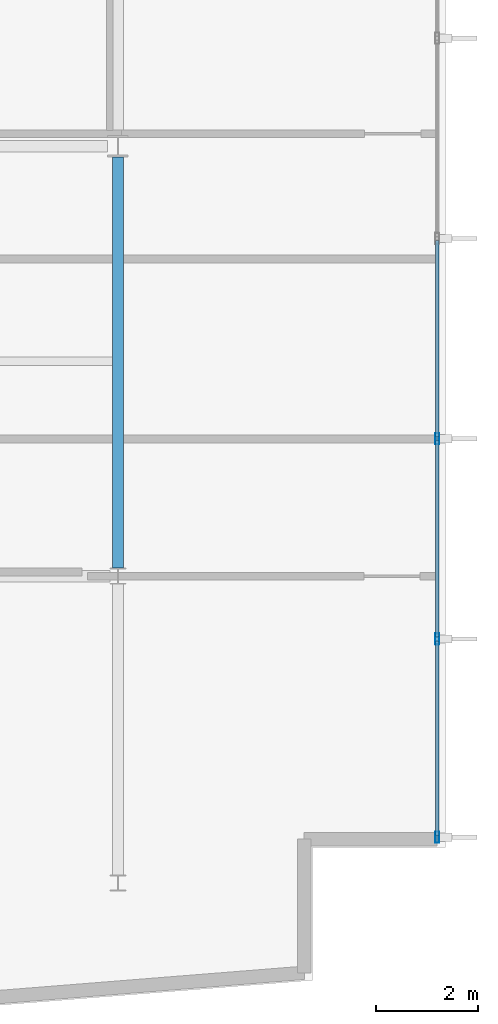
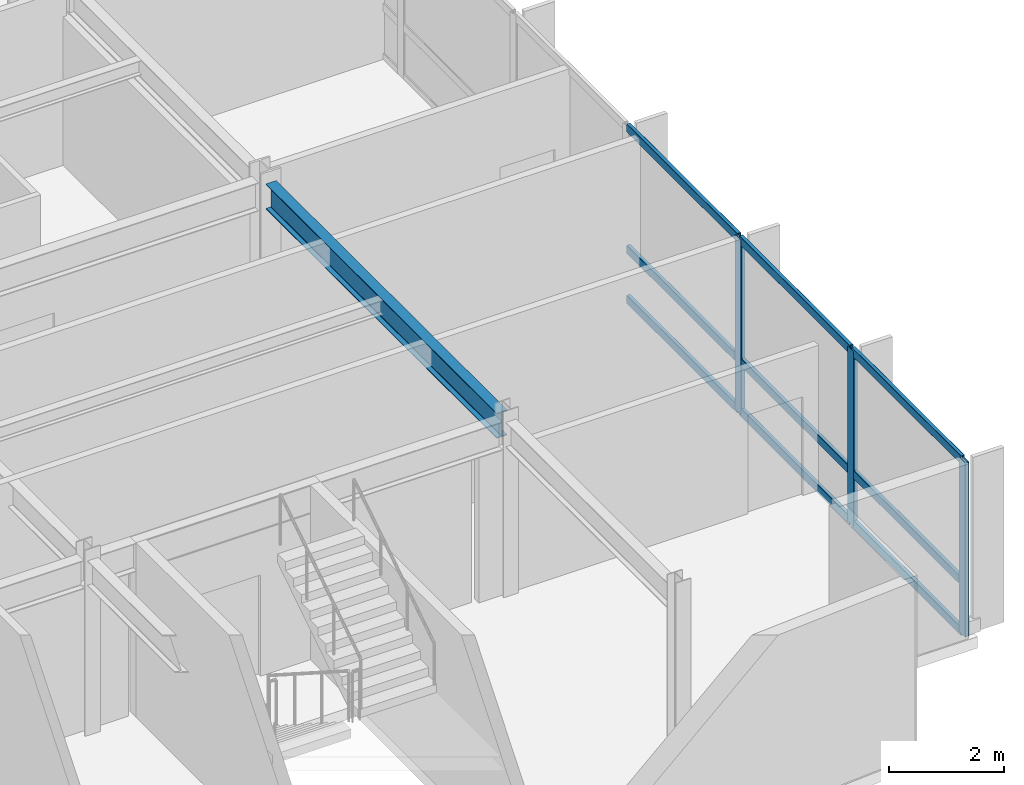
# One storey, part 5 of 17: 12 members, 1 beam, 1 element without a shape of its own.
"""IFC4 building model written with IfcOpenShell, lengths in metres."""

from ifc_helpers import new_model, si_unit, direction, frame, origin, origin_2d, place, context, subcontext, project, spatial, hollow_rectangle, i_section, extrude, material, layer, layer_set, material_profile, profile_set, type_object, element, aggregate, save


model = new_model("IFC4")

# Units and contexts
model_context = context("Model", 3, precision=1e-05, world=origin(), true_north=direction((0.0, 1.0)))
body_context = subcontext(model_context, "Body", "Model", "MODEL_VIEW")
ifc_project = project(units=[si_unit("LENGTHUNIT", "METRE"), si_unit("AREAUNIT", "SQUARE_METRE"), si_unit("VOLUMEUNIT", "CUBIC_METRE"), si_unit("PLANEANGLEUNIT", "RADIAN"), si_unit("MASSUNIT", "GRAM", prefix="KILO")], contexts=[model_context])

# Site, building, storey
site_placement = place(None, origin())
site = spatial("IfcSite", under=ifc_project, at=site_placement, CompositionType="ELEMENT")
building_placement = place(site_placement, origin())
building = spatial("IfcBuilding", under=site, at=building_placement, Name="Varnakote Quay Hospital", CompositionType="ELEMENT")
storey_placement = place(building_placement, frame((0.0, 0.0, 146.800048828125)))
storey = spatial("IfcBuildingStorey", under=building, at=storey_placement, Name="L36", CompositionType="ELEMENT", Elevation=146.800048828125)

# Beam
ifc_material_1 = material(Name="Structural steel AS/NZS 3679.1 Grade 350 L0 (fy 340 MPa)", Category="steel")
ifc_material_profile_1 = material_profile(ifc_material_1, i_section(OverallWidth=0.208984375, OverallDepth=0.532958984375, WebThickness=0.01025390625, FlangeThickness=0.015625, FilletRadius=0.013916015625, at=origin_2d()), Name="530UB92.4")
ifc_profile_set_1 = profile_set([ifc_material_profile_1], Name="Structural steel AS/NZS 3679.1 Grade 350 L0 (fy 340 MPa)")
beam_type = type_object("IfcBeamType", Name="BM-STL-530UB92-4", PredefinedType="BEAM", material=ifc_profile_set_1)
beam_placement = place(storey_placement, frame((50.39990234375, 12.157470703125, 3.443359375), z_axis=(0.0, 1.0, 0.0), x_axis=(-1.0, 0.0, 0.0)))
element("IfcBeam", 1, at=beam_placement, inside=storey, type_object=beam_type, Name="L36 Primary Tie Beam", PredefinedType="BEAM", context=body_context, shape_type="SweptSolid", body=[
    extrude(i_section(OverallWidth=0.208984375, OverallDepth=0.532958984375, WebThickness=0.01025390625, FlangeThickness=0.015625, FilletRadius=0.013916015625, at=origin_2d()), origin(), (0.0, 0.0, 1.0), 8.032470703125),
])

# Curtain wall, members
ifc_material_2 = material(Name="Anodised aluminium 6063-T6 Bronze", Category="aluminium")
ifc_layer = layer(ifc_material_2, 0.205078125)
ifc_layer_set = layer_set([ifc_layer], Name="Anodised aluminium 6063-T6 Bronze")
curtain_wall_type = type_object("IfcCurtainWallType", Name="CW-SYS-3", PredefinedType="NOTDEFINED", material=ifc_layer_set)
curtain_wall_placement = place(storey_placement, origin())
curtain_wall = element("IfcCurtainWall", 2, at=curtain_wall_placement, inside=storey, type_object=curtain_wall_type, Name="L36 Unitised Bronze Curtain Wall 1", PredefinedType="NOTDEFINED")
ifc_material_3 = material(Name="Anodised aluminium 6063-T6 Bronze", Category="aluminium")
ifc_material_profile_2 = material_profile(ifc_material_3, hollow_rectangle(XDim=0.074951171875, YDim=0.219970703125, WallThickness=0.00439453125, InnerFilletRadius=0.00439453125, OuterFilletRadius=0.009033203125, at=origin_2d()), Name="CW-MULL-220x75")
ifc_profile_set_2 = profile_set([ifc_material_profile_2], Name="Anodised aluminium 6063-T6 Bronze")
member_type_1 = type_object("IfcMemberType", Name="CW-MULL-220x75", PredefinedType="MULLION", material=ifc_profile_set_2)
member_1_placement = place(storey_placement, frame((56.639892578125, 6.8974609375, 0.0), z_axis=(0.0, 0.0, 1.0), x_axis=(-1.0, 0.0, 0.0)))
member_1 = element("IfcMember", 3, at=member_1_placement, type_object=member_type_1, Name="-3-L36-1 mullion 1", PredefinedType="MULLION", context=body_context, shape_type="SweptSolid", body=[
    extrude(hollow_rectangle(XDim=0.074951171875, YDim=0.219970703125, WallThickness=0.00439453125, InnerFilletRadius=0.00439453125, OuterFilletRadius=0.009033203125, at=origin_2d()), origin(), (0.0, 0.0, 1.0), 3.7099609375),
])
member_2_placement = place(storey_placement, frame((56.639892578125, 10.7734375, 0.0), z_axis=(0.0, 0.0, 1.0), x_axis=(-1.0, 0.0, 0.0)))
member_2 = element("IfcMember", 4, at=member_2_placement, type_object=member_type_1, Name="-3-L36-1 mullion 2", PredefinedType="MULLION", context=body_context, shape_type="SweptSolid", body=[
    extrude(hollow_rectangle(XDim=0.074951171875, YDim=0.219970703125, WallThickness=0.00439453125, InnerFilletRadius=0.00439453125, OuterFilletRadius=0.009033203125, at=origin_2d()), origin(), (0.0, 0.0, 1.0), 3.7099609375),
])
member_3_placement = place(storey_placement, frame((56.639892578125, 14.686767578125, 0.0), z_axis=(0.0, 0.0, 1.0), x_axis=(-1.0, 0.0, 0.0)))
member_3 = element("IfcMember", 5, at=member_3_placement, type_object=member_type_1, Name="-3-L36-1 mullion 3", PredefinedType="MULLION", context=body_context, shape_type="SweptSolid", body=[
    extrude(hollow_rectangle(XDim=0.074951171875, YDim=0.219970703125, WallThickness=0.00439453125, InnerFilletRadius=0.00439453125, OuterFilletRadius=0.009033203125, at=origin_2d()), origin(), (0.0, 0.0, 1.0), 3.7099609375),
])
ifc_material_4 = material(Name="Anodised aluminium 6063-T6 Bronze", Category="aluminium")
ifc_material_profile_3 = material_profile(ifc_material_4, hollow_rectangle(XDim=0.074951171875, YDim=0.179931640625, WallThickness=0.004150390625, InnerFilletRadius=0.004150390625, OuterFilletRadius=0.00830078125, at=origin_2d()), Name="CW-TRAN-180x75")
ifc_profile_set_3 = profile_set([ifc_material_profile_3], Name="Anodised aluminium 6063-T6 Bronze")
member_type_2 = type_object("IfcMemberType", Name="CW-TRAN-180x75", PredefinedType="USERDEFINED", material=ifc_profile_set_3)
member_4_placement = place(storey_placement, frame((56.639892578125, 6.93505859375, 0.037353515625), z_axis=(0.0, 1.0, 0.0), x_axis=(-1.0, 0.0, 0.0)))
member_4 = element("IfcMember", 6, at=member_4_placement, type_object=member_type_2, Name="-3-L36-1 transom 1.1", ObjectType="TRANSOM", PredefinedType="USERDEFINED", context=body_context, shape_type="SweptSolid", body=[
    extrude(hollow_rectangle(XDim=0.074951171875, YDim=0.179931640625, WallThickness=0.004150390625, InnerFilletRadius=0.004150390625, OuterFilletRadius=0.00830078125, at=origin_2d()), origin(), (0.0, 0.0, 1.0), 3.80078125),
])
member_5_placement = place(storey_placement, frame((56.639892578125, 6.93505859375, 1.099853515625), z_axis=(0.0, 1.0, 0.0), x_axis=(-1.0, 0.0, 0.0)))
member_5 = element("IfcMember", 7, at=member_5_placement, type_object=member_type_2, Name="-3-L36-1 transom 1.2", ObjectType="TRANSOM", PredefinedType="USERDEFINED", context=body_context, shape_type="SweptSolid", body=[
    extrude(hollow_rectangle(XDim=0.074951171875, YDim=0.179931640625, WallThickness=0.004150390625, InnerFilletRadius=0.004150390625, OuterFilletRadius=0.00830078125, at=origin_2d()), origin(), (0.0, 0.0, 1.0), 3.80078125),
])
member_6_placement = place(storey_placement, frame((56.639892578125, 6.93505859375, 3.67236328125), z_axis=(0.0, 1.0, 0.0), x_axis=(-1.0, 0.0, 0.0)))
member_6 = element("IfcMember", 8, at=member_6_placement, type_object=member_type_2, Name="-3-L36-1 transom 1.3", ObjectType="TRANSOM", PredefinedType="USERDEFINED", context=body_context, shape_type="SweptSolid", body=[
    extrude(hollow_rectangle(XDim=0.074951171875, YDim=0.179931640625, WallThickness=0.004150390625, InnerFilletRadius=0.004150390625, OuterFilletRadius=0.00830078125, at=origin_2d()), origin(), (0.0, 0.0, 1.0), 3.80078125),
])
member_7_placement = place(storey_placement, frame((56.639892578125, 10.810791015625, 0.037353515625), z_axis=(0.0, 1.0, 0.0), x_axis=(-1.0, 0.0, 0.0)))
member_7 = element("IfcMember", 9, at=member_7_placement, type_object=member_type_2, Name="-3-L36-1 transom 2.1", ObjectType="TRANSOM", PredefinedType="USERDEFINED", context=body_context, shape_type="SweptSolid", body=[
    extrude(hollow_rectangle(XDim=0.074951171875, YDim=0.179931640625, WallThickness=0.004150390625, InnerFilletRadius=0.004150390625, OuterFilletRadius=0.00830078125, at=origin_2d()), origin(), (0.0, 0.0, 1.0), 3.83837890625),
])
member_8_placement = place(storey_placement, frame((56.639892578125, 10.810791015625, 1.099853515625), z_axis=(0.0, 1.0, 0.0), x_axis=(-1.0, 0.0, 0.0)))
member_8 = element("IfcMember", 10, at=member_8_placement, type_object=member_type_2, Name="-3-L36-1 transom 2.2", ObjectType="TRANSOM", PredefinedType="USERDEFINED", context=body_context, shape_type="SweptSolid", body=[
    extrude(hollow_rectangle(XDim=0.074951171875, YDim=0.179931640625, WallThickness=0.004150390625, InnerFilletRadius=0.004150390625, OuterFilletRadius=0.00830078125, at=origin_2d()), origin(), (0.0, 0.0, 1.0), 3.83837890625),
])
member_9_placement = place(storey_placement, frame((56.639892578125, 10.810791015625, 3.67236328125), z_axis=(0.0, 1.0, 0.0), x_axis=(-1.0, 0.0, 0.0)))
member_9 = element("IfcMember", 11, at=member_9_placement, type_object=member_type_2, Name="-3-L36-1 transom 2.3", ObjectType="TRANSOM", PredefinedType="USERDEFINED", context=body_context, shape_type="SweptSolid", body=[
    extrude(hollow_rectangle(XDim=0.074951171875, YDim=0.179931640625, WallThickness=0.004150390625, InnerFilletRadius=0.004150390625, OuterFilletRadius=0.00830078125, at=origin_2d()), origin(), (0.0, 0.0, 1.0), 3.83837890625),
])
member_10_placement = place(storey_placement, frame((56.639892578125, 14.72412109375, 0.037353515625), z_axis=(0.0, 1.0, 0.0), x_axis=(-1.0, 0.0, 0.0)))
member_10 = element("IfcMember", 12, at=member_10_placement, type_object=member_type_2, Name="-3-L36-1 transom 3.1", ObjectType="TRANSOM", PredefinedType="USERDEFINED", context=body_context, shape_type="SweptSolid", body=[
    extrude(hollow_rectangle(XDim=0.074951171875, YDim=0.179931640625, WallThickness=0.004150390625, InnerFilletRadius=0.004150390625, OuterFilletRadius=0.00830078125, at=origin_2d()), origin(), (0.0, 0.0, 1.0), 3.83837890625),
])
member_11_placement = place(storey_placement, frame((56.639892578125, 14.72412109375, 1.099853515625), z_axis=(0.0, 1.0, 0.0), x_axis=(-1.0, 0.0, 0.0)))
member_11 = element("IfcMember", 13, at=member_11_placement, type_object=member_type_2, Name="-3-L36-1 transom 3.2", ObjectType="TRANSOM", PredefinedType="USERDEFINED", context=body_context, shape_type="SweptSolid", body=[
    extrude(hollow_rectangle(XDim=0.074951171875, YDim=0.179931640625, WallThickness=0.004150390625, InnerFilletRadius=0.004150390625, OuterFilletRadius=0.00830078125, at=origin_2d()), origin(), (0.0, 0.0, 1.0), 3.83837890625),
])
member_12_placement = place(storey_placement, frame((56.639892578125, 14.72412109375, 3.67236328125), z_axis=(0.0, 1.0, 0.0), x_axis=(-1.0, 0.0, 0.0)))
member_12 = element("IfcMember", 14, at=member_12_placement, type_object=member_type_2, Name="-3-L36-1 transom 3.3", ObjectType="TRANSOM", PredefinedType="USERDEFINED", context=body_context, shape_type="SweptSolid", body=[
    extrude(hollow_rectangle(XDim=0.074951171875, YDim=0.179931640625, WallThickness=0.004150390625, InnerFilletRadius=0.004150390625, OuterFilletRadius=0.00830078125, at=origin_2d()), origin(), (0.0, 0.0, 1.0), 3.83837890625),
])
aggregate(curtain_wall, [member_1, member_2, member_3, member_4, member_5, member_6, member_7, member_8, member_9, member_10, member_11, member_12])

save(model, "model.ifc")
